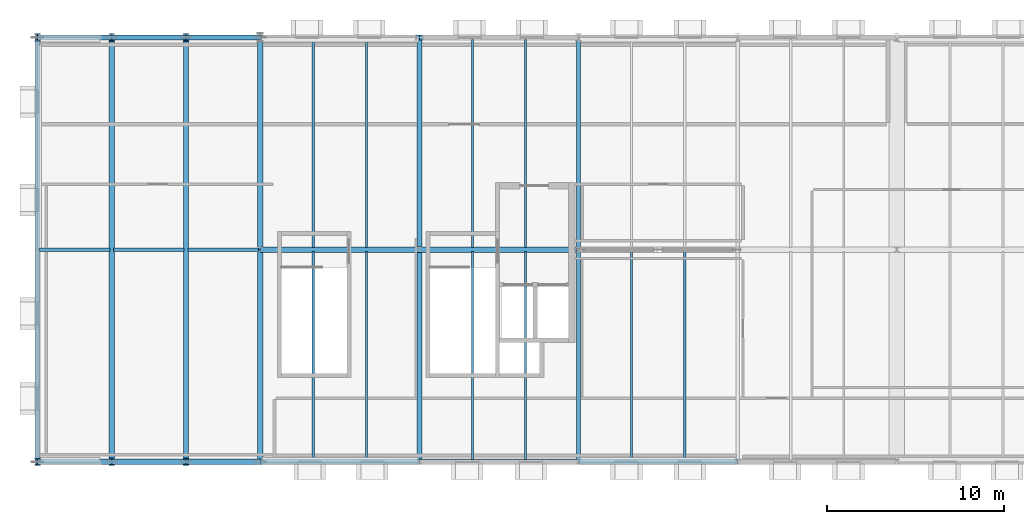
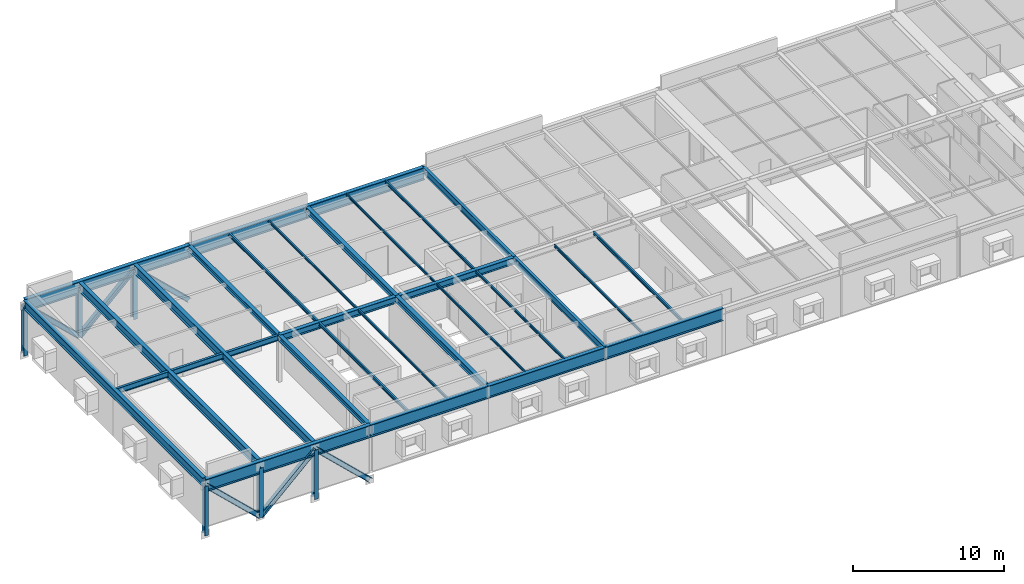
# One storey, part 4 of 16: 31 beams, 12 members.
"""IFC4 building model written with IfcOpenShell, lengths in metres."""

from ifc_helpers import new_model, si_unit, direction, frame, origin, origin_2d, place, context, subcontext, project, spatial, i_section, extrude, material, material_profile, profile_set, type_object, element, save


model = new_model("IFC4")

# Units and contexts
model_context = context("Model", 3, precision=1e-05, world=origin(), true_north=direction((0.0, 1.0)))
body_context = subcontext(model_context, "Body", "Model", "MODEL_VIEW")
ifc_project = project(units=[si_unit("LENGTHUNIT", "METRE"), si_unit("AREAUNIT", "SQUARE_METRE"), si_unit("VOLUMEUNIT", "CUBIC_METRE"), si_unit("PLANEANGLEUNIT", "RADIAN"), si_unit("MASSUNIT", "GRAM", prefix="KILO")], contexts=[model_context])

# Site, building, storey
site_placement = place(None, origin())
site = spatial("IfcSite", under=ifc_project, at=site_placement, CompositionType="ELEMENT")
building_placement = place(site_placement, origin())
building = spatial("IfcBuilding", under=site, at=building_placement, Name="Montelvaro Courts of Justice", CompositionType="ELEMENT")
storey_placement = place(building_placement, frame((0.0, 0.0, 35.39990234375)))
storey = spatial("IfcBuildingStorey", under=building, at=storey_placement, Name="L08", CompositionType="ELEMENT", Elevation=35.39990234375)

# Beams
ifc_material = material(Name="Steel S355", Category="steel")
ifc_material_profile_1 = material_profile(ifc_material, i_section(OverallWidth=0.300048828125, OverallDepth=0.43994140625, WebThickness=0.011474609375, FlangeThickness=0.02099609375, at=origin_2d()), Name="HEA 450")
ifc_profile_set_1 = profile_set([ifc_material_profile_1], Name="Steel S355")
beam_type_1 = type_object("IfcBeamType", Name="Beam_HEA450", PredefinedType="USERDEFINED", material=ifc_profile_set_1)
for number, where, z_axis, x_axis, name in (
    (1, (45.0, 0.0, 3.580078125), (0.0, 1.0, 0.0), (-1.0, 0.0, 0.0), "Beam B-18 L08"),
    (2, (45.0, 12.0, 3.580078125), (0.0, 1.0, 0.0), (-1.0, 0.0, 0.0), "Beam B-18 L08"),
):
    element("IfcBeam", number, at=place(storey_placement, frame(where, z_axis=z_axis, x_axis=x_axis)), inside=storey, type_object=beam_type_1, Name=name, ObjectType="GIRDER", PredefinedType="USERDEFINED", context=body_context, shape_type="SweptSolid", body=[
        extrude(i_section(OverallWidth=0.300048828125, OverallDepth=0.43994140625, WebThickness=0.011474609375, FlangeThickness=0.02099609375, at=origin_2d()), origin(), (0.0, 0.0, 1.0), 12.0),
    ])
ifc_material_profile_2 = material_profile(ifc_material, i_section(OverallWidth=0.300048828125, OverallDepth=0.489990234375, WebThickness=0.011962890625, FlangeThickness=0.02294921875, at=origin_2d()), Name="HEA 500")
ifc_profile_set_2 = profile_set([ifc_material_profile_2], Name="Steel S355")
beam_type_2 = type_object("IfcBeamType", Name="Beam_HEA500", PredefinedType="USERDEFINED", material=ifc_profile_set_2)
for number, where, z_axis, x_axis, name in (
    (3, (54.0, 0.0, 3.55517578125), (0.0, 1.0, 0.0), (-1.0, 0.0, 0.0), "Beam B-19 L08"),
    (4, (54.0, 12.0, 3.55517578125), (0.0, 1.0, 0.0), (-1.0, 0.0, 0.0), "Beam B-19 L08"),
):
    element("IfcBeam", number, at=place(storey_placement, frame(where, z_axis=z_axis, x_axis=x_axis)), inside=storey, type_object=beam_type_2, Name=name, ObjectType="GIRDER", PredefinedType="USERDEFINED", context=body_context, shape_type="SweptSolid", body=[
        extrude(i_section(OverallWidth=0.300048828125, OverallDepth=0.489990234375, WebThickness=0.011962890625, FlangeThickness=0.02294921875, at=origin_2d()), origin(), (0.0, 0.0, 1.0), 12.0),
    ])
ifc_material_profile_3 = material_profile(ifc_material, i_section(OverallWidth=0.300048828125, OverallDepth=0.5400390625, WebThickness=0.012451171875, FlangeThickness=0.02392578125, at=origin_2d()), Name="HEA 550")
ifc_profile_set_3 = profile_set([ifc_material_profile_3], Name="Steel S355")
beam_type_3 = type_object("IfcBeamType", Name="Beam_HEA550", PredefinedType="USERDEFINED", material=ifc_profile_set_3)
for number, where, z_axis, x_axis, name in (
    (5, (45.0, 12.0, 3.530029296875), (1.0, 0.0, 0.0), (0.0, 1.0, 0.0), "Beam B-20 L08"),
    (6, (54.0, 12.0, 3.530029296875), (1.0, 0.0, 0.0), (0.0, 1.0, 0.0), "Beam B-20 L08"),
):
    element("IfcBeam", number, at=place(storey_placement, frame(where, z_axis=z_axis, x_axis=x_axis)), inside=storey, type_object=beam_type_3, Name=name, ObjectType="GIRDER", PredefinedType="USERDEFINED", context=body_context, shape_type="SweptSolid", body=[
        extrude(i_section(OverallWidth=0.300048828125, OverallDepth=0.5400390625, WebThickness=0.012451171875, FlangeThickness=0.02392578125, at=origin_2d()), origin(), (0.0, 0.0, 1.0), 9.0),
    ])
ifc_material_profile_4 = material_profile(ifc_material, i_section(OverallWidth=0.300048828125, OverallDepth=0.699951171875, WebThickness=0.01708984375, FlangeThickness=0.031982421875, at=origin_2d()), Name="HEB 700")
ifc_profile_set_4 = profile_set([ifc_material_profile_4], Name="Steel S355")
beam_type_4 = type_object("IfcBeamType", Name="Beam_HEB700", PredefinedType="USERDEFINED", material=ifc_profile_set_4)
for number, where, z_axis, x_axis, name in (
    (7, (40.800048828125, 0.110107421875, 3.4501953125), (0.0, 1.0, 0.0), (-1.0, 0.0, 0.0), "Beam B-28 L08"),
    (8, (36.60009765625, 0.110107421875, 3.4501953125), (0.0, 1.0, 0.0), (-1.0, 0.0, 0.0), "Beam B-28 L08"),
    (9, (32.39990234375, 0.110107421875, 3.4501953125), (0.0, 1.0, 0.0), (-1.0, 0.0, 0.0), "Beam B-28 L08"),
):
    element("IfcBeam", number, at=place(storey_placement, frame(where, z_axis=z_axis, x_axis=x_axis)), inside=storey, type_object=beam_type_4, Name=name, ObjectType="GIRDER", PredefinedType="USERDEFINED", context=body_context, shape_type="SweptSolid", body=[
        extrude(i_section(OverallWidth=0.300048828125, OverallDepth=0.699951171875, WebThickness=0.01708984375, FlangeThickness=0.031982421875, at=origin_2d()), origin(), (0.0, 0.0, 1.0), 23.77978515625),
    ])
ifc_material_profile_5 = material_profile(ifc_material, i_section(OverallWidth=0.302001953125, OverallDepth=1.008056640625, WebThickness=0.02099609375, FlangeThickness=0.0400390625, at=origin_2d()), Name="HEM 1000")
ifc_profile_set_5 = profile_set([ifc_material_profile_5], Name="Steel S355")
beam_type_5 = type_object("IfcBeamType", Name="Beam_HEM1000", PredefinedType="USERDEFINED", material=ifc_profile_set_5)
for number, where, z_axis, x_axis, name in (
    (10, (72.0, 0.0, 3.296142578125), (-1.0, 0.0, 0.0), (0.0, -1.0, 0.0), "Pratt Cantilever Truss Chord CTR-BAR3-S-RF-BS1"),
    (11, (63.0, 0.0, 3.296142578125), (-1.0, 0.0, 0.0), (0.0, -1.0, 0.0), "Pratt Cantilever Truss Chord CTR-BAR3-S-RF-BS2"),
    (12, (54.0, 0.0, 3.296142578125), (-1.0, 0.0, 0.0), (0.0, -1.0, 0.0), "Pratt Cantilever Truss Chord CTR-BAR3-S-RF-BS3"),
):
    element("IfcBeam", number, at=place(storey_placement, frame(where, z_axis=z_axis, x_axis=x_axis)), inside=storey, type_object=beam_type_5, Name=name, ObjectType="GIRDER", PredefinedType="USERDEFINED", context=body_context, shape_type="SweptSolid", body=[
        extrude(i_section(OverallWidth=0.302001953125, OverallDepth=1.008056640625, WebThickness=0.02099609375, FlangeThickness=0.0400390625, at=origin_2d()), origin(), (0.0, 0.0, 1.0), 9.0),
    ])
beam_1_placement = place(storey_placement, frame((45.0, 0.0, 3.296142578125), z_axis=(-1.0, 0.0, 0.0), x_axis=(0.0, -1.0, 0.0)))
element("IfcBeam", 13, at=beam_1_placement, inside=storey, type_object=beam_type_5, Name="Pratt Cantilever Truss Chord CTR-BAR3-S-RF-OVH", ObjectType="GIRDER", PredefinedType="USERDEFINED", context=body_context, shape_type="SweptSolid", body=[
    extrude(i_section(OverallWidth=0.302001953125, OverallDepth=1.008056640625, WebThickness=0.02099609375, FlangeThickness=0.0400390625, at=origin_2d()), origin(), (0.0, 0.0, 1.0), 12.60009765625),
])
for number, where, z_axis, x_axis, name in (
    (14, (63.0, 24.0, 3.296142578125), (-1.0, 0.0, 0.0), (0.0, -1.0, 0.0), "Pratt Cantilever Truss Chord CTR-BAR3-N-RF-BS2"),
    (15, (54.0, 24.0, 3.296142578125), (-1.0, 0.0, 0.0), (0.0, -1.0, 0.0), "Pratt Cantilever Truss Chord CTR-BAR3-N-RF-BS3"),
):
    element("IfcBeam", number, at=place(storey_placement, frame(where, z_axis=z_axis, x_axis=x_axis)), inside=storey, type_object=beam_type_5, Name=name, ObjectType="GIRDER", PredefinedType="USERDEFINED", context=body_context, shape_type="SweptSolid", body=[
        extrude(i_section(OverallWidth=0.302001953125, OverallDepth=1.008056640625, WebThickness=0.02099609375, FlangeThickness=0.0400390625, at=origin_2d()), origin(), (0.0, 0.0, 1.0), 9.0),
    ])
beam_2_placement = place(storey_placement, frame((45.0, 24.0, 3.296142578125), z_axis=(-1.0, 0.0, 0.0), x_axis=(0.0, -1.0, 0.0)))
element("IfcBeam", 16, at=beam_2_placement, inside=storey, type_object=beam_type_5, Name="Pratt Cantilever Truss Chord CTR-BAR3-N-RF-OVH", ObjectType="GIRDER", PredefinedType="USERDEFINED", context=body_context, shape_type="SweptSolid", body=[
    extrude(i_section(OverallWidth=0.302001953125, OverallDepth=1.008056640625, WebThickness=0.02099609375, FlangeThickness=0.0400390625, at=origin_2d()), origin(), (0.0, 0.0, 1.0), 12.60009765625),
])
ifc_material_profile_6 = material_profile(ifc_material, i_section(OverallWidth=0.10009765625, OverallDepth=0.199951171875, WebThickness=0.005615234375, FlangeThickness=0.008544921875, at=origin_2d()), Name="IPE 200")
ifc_profile_set_6 = profile_set([ifc_material_profile_6], Name="Steel S355")
beam_type_6 = type_object("IfcBeamType", Name="Beam_IPE200", PredefinedType="JOIST", material=ifc_profile_set_6)
for number, where, z_axis, x_axis, name in (
    (17, (51.0, 0.110107421875, 3.7001953125), (0.0, 1.0, 0.0), (-1.0, 0.0, 0.0), "Beam B-01 L08"),
    (18, (51.0, 12.110107421875, 3.7001953125), (0.0, 1.0, 0.0), (-1.0, 0.0, 0.0), "Beam B-01 L08"),
    (19, (57.0, 0.110107421875, 3.7001953125), (0.0, 1.0, 0.0), (-1.0, 0.0, 0.0), "Beam B-01 L08"),
    (20, (57.0, 12.110107421875, 3.7001953125), (0.0, 1.0, 0.0), (-1.0, 0.0, 0.0), "Beam B-01 L08"),
):
    element("IfcBeam", number, at=place(storey_placement, frame(where, z_axis=z_axis, x_axis=x_axis)), inside=storey, type_object=beam_type_6, Name=name, PredefinedType="JOIST", context=body_context, shape_type="SweptSolid", body=[
        extrude(i_section(OverallWidth=0.10009765625, OverallDepth=0.199951171875, WebThickness=0.005615234375, FlangeThickness=0.008544921875, at=origin_2d()), origin(), (0.0, 0.0, 1.0), 11.77978515625),
    ])
ifc_material_profile_7 = material_profile(ifc_material, i_section(OverallWidth=0.110107421875, OverallDepth=0.219970703125, WebThickness=0.005859375, FlangeThickness=0.00927734375, at=origin_2d()), Name="IPE 220")
ifc_profile_set_7 = profile_set([ifc_material_profile_7], Name="Steel S355")
beam_type_7 = type_object("IfcBeamType", Name="Beam_IPE220", PredefinedType="JOIST", material=ifc_profile_set_7)
for number, where, z_axis, x_axis, name in (
    (21, (60.0, 0.110107421875, 3.690185546875), (0.0, 1.0, 0.0), (-1.0, 0.0, 0.0), "Beam B-02 L08"),
    (22, (60.0, 12.110107421875, 3.690185546875), (0.0, 1.0, 0.0), (-1.0, 0.0, 0.0), "Beam B-02 L08"),
    (23, (66.0, 0.110107421875, 3.690185546875), (0.0, 1.0, 0.0), (-1.0, 0.0, 0.0), "Beam B-02 L08"),
):
    element("IfcBeam", number, at=place(storey_placement, frame(where, z_axis=z_axis, x_axis=x_axis)), inside=storey, type_object=beam_type_7, Name=name, PredefinedType="JOIST", context=body_context, shape_type="SweptSolid", body=[
        extrude(i_section(OverallWidth=0.110107421875, OverallDepth=0.219970703125, WebThickness=0.005859375, FlangeThickness=0.00927734375, at=origin_2d()), origin(), (0.0, 0.0, 1.0), 11.77978515625),
    ])
ifc_material_profile_8 = material_profile(ifc_material, i_section(OverallWidth=0.135009765625, OverallDepth=0.27001953125, WebThickness=0.006591796875, FlangeThickness=0.01025390625, at=origin_2d()), Name="IPE 270")
ifc_profile_set_8 = profile_set([ifc_material_profile_8], Name="Steel S355")
beam_type_8 = type_object("IfcBeamType", Name="Beam_IPE270", PredefinedType="JOIST", material=ifc_profile_set_8)
for number, where, z_axis, x_axis, name in (
    (24, (48.0, 0.110107421875, 3.6650390625), (0.0, 1.0, 0.0), (-1.0, 0.0, 0.0), "Beam B-04 L08"),
    (25, (48.0, 12.110107421875, 3.6650390625), (0.0, 1.0, 0.0), (-1.0, 0.0, 0.0), "Beam B-04 L08"),
    (26, (69.0, 0.110107421875, 3.6650390625), (0.0, 1.0, 0.0), (-1.0, 0.0, 0.0), "Beam B-04 L08"),
):
    element("IfcBeam", number, at=place(storey_placement, frame(where, z_axis=z_axis, x_axis=x_axis)), inside=storey, type_object=beam_type_8, Name=name, PredefinedType="JOIST", context=body_context, shape_type="SweptSolid", body=[
        extrude(i_section(OverallWidth=0.135009765625, OverallDepth=0.27001953125, WebThickness=0.006591796875, FlangeThickness=0.01025390625, at=origin_2d()), origin(), (0.0, 0.0, 1.0), 11.77978515625),
    ])
ifc_material_profile_9 = material_profile(ifc_material, i_section(OverallWidth=0.18994140625, OverallDepth=0.449951171875, WebThickness=0.009521484375, FlangeThickness=0.0146484375, at=origin_2d()), Name="IPE 450")
ifc_profile_set_9 = profile_set([ifc_material_profile_9], Name="Steel S355")
beam_type_9 = type_object("IfcBeamType", Name="Beam_IPE450", PredefinedType="BEAM", material=ifc_profile_set_9)
for number, where, z_axis, x_axis, name in (
    (27, (40.909912109375, 12.0, 3.5751953125), (1.0, 0.0, 0.0), (0.0, 1.0, 0.0), "Beam B-09 L08"),
    (28, (36.7099609375, 12.0, 3.5751953125), (1.0, 0.0, 0.0), (0.0, 1.0, 0.0), "Beam B-09 L08"),
    (29, (32.510009765625, 12.0, 3.5751953125), (1.0, 0.0, 0.0), (0.0, 1.0, 0.0), "Beam B-09 L08"),
):
    element("IfcBeam", number, at=place(storey_placement, frame(where, z_axis=z_axis, x_axis=x_axis)), inside=storey, type_object=beam_type_9, Name=name, PredefinedType="BEAM", context=body_context, shape_type="SweptSolid", body=[
        extrude(i_section(OverallWidth=0.18994140625, OverallDepth=0.449951171875, WebThickness=0.009521484375, FlangeThickness=0.0146484375, at=origin_2d()), origin(), (0.0, 0.0, 1.0), 3.97998046875),
    ])
ifc_material_profile_10 = material_profile(ifc_material, i_section(OverallWidth=0.2099609375, OverallDepth=0.550048828125, WebThickness=0.010986328125, FlangeThickness=0.01708984375, at=origin_2d()), Name="IPE 550")
ifc_profile_set_10 = profile_set([ifc_material_profile_10], Name="Steel S355")
beam_type_10 = type_object("IfcBeamType", Name="Beam_IPE550", PredefinedType="BEAM", material=ifc_profile_set_10)
for number, where, z_axis, x_axis, name in (
    (30, (63.0, 0.0, 3.525146484375), (0.0, 1.0, 0.0), (-1.0, 0.0, 0.0), "Beam B-11 L08"),
    (31, (63.0, 12.0, 3.525146484375), (0.0, 1.0, 0.0), (-1.0, 0.0, 0.0), "Beam B-11 L08"),
):
    element("IfcBeam", number, at=place(storey_placement, frame(where, z_axis=z_axis, x_axis=x_axis)), inside=storey, type_object=beam_type_10, Name=name, PredefinedType="BEAM", context=body_context, shape_type="SweptSolid", body=[
        extrude(i_section(OverallWidth=0.2099609375, OverallDepth=0.550048828125, WebThickness=0.010986328125, FlangeThickness=0.01708984375, at=origin_2d()), origin(), (0.0, 0.0, 1.0), 12.0),
    ])

# Members
ifc_material_profile_11 = material_profile(ifc_material, i_section(OverallWidth=0.300048828125, OverallDepth=0.360107421875, WebThickness=0.012451171875, FlangeThickness=0.0224609375, at=origin_2d()), Name="HEB 360")
ifc_profile_set_11 = profile_set([ifc_material_profile_11], Name="Steel S355")
member_type_1 = type_object("IfcMemberType", Name="Mem_HEB360_Brace", PredefinedType="BRACE", material=ifc_profile_set_11)
for number, where, z_axis, x_axis, name in (
    (32, (45.0, 0.0, -0.703857421875), (-0.724133926887, 0.0, 0.689659376744), (0.0, -1.0, 0.0), "Pratt Cantilever Truss Diagonal MB-01 CTR-BAR3-S-L08-D4"),
    (33, (40.800048828125, 0.0, 3.296142578125), (-0.724133926887, 0.0, -0.689659376744), (0.0, -1.0, 0.0), "Pratt Cantilever Truss Diagonal MB-01 CTR-BAR3-S-L08-D5"),
    (34, (36.60009765625, 0.0, -0.703857421875), (-0.72415394689, 0.0, 0.689638355374), (0.0, -1.0, 0.0), "Pratt Cantilever Truss Diagonal MB-01 CTR-BAR3-S-L08-D6"),
    (35, (45.0, 24.0, -0.703857421875), (-0.724133926887, 0.0, 0.689659376744), (0.0, -1.0, 0.0), "Pratt Cantilever Truss Diagonal MB-01 CTR-BAR3-N-L08-D4"),
    (36, (40.800048828125, 24.0, 3.296142578125), (-0.724133926887, 0.0, -0.689659376744), (0.0, -1.0, 0.0), "Pratt Cantilever Truss Diagonal MB-01 CTR-BAR3-N-L08-D5"),
    (37, (36.60009765625, 24.0, -0.703857421875), (-0.72415394689, 0.0, 0.689638355374), (0.0, -1.0, 0.0), "Pratt Cantilever Truss Diagonal MB-01 CTR-BAR3-N-L08-D6"),
):
    element("IfcMember", number, at=place(storey_placement, frame(where, z_axis=z_axis, x_axis=x_axis)), inside=storey, type_object=member_type_1, Name=name, PredefinedType="BRACE", context=body_context, shape_type="SweptSolid", body=[
        extrude(i_section(OverallWidth=0.300048828125, OverallDepth=0.360107421875, WebThickness=0.012451171875, FlangeThickness=0.0224609375, at=origin_2d()), origin(), (0.0, 0.0, 1.0), 5.800048828125),
    ])
ifc_material_profile_12 = material_profile(ifc_material, i_section(OverallWidth=0.300048828125, OverallDepth=0.39990234375, WebThickness=0.013427734375, FlangeThickness=0.02392578125, at=origin_2d()), Name="HEB 400")
ifc_profile_set_12 = profile_set([ifc_material_profile_12], Name="Steel S355")
member_type_2 = type_object("IfcMemberType", Name="Mem_HEB400_Post", PredefinedType="POST", material=ifc_profile_set_12)
for number, where, z_axis, x_axis, name in (
    (38, (40.800048828125, 0.0, -0.703857421875), (0.0, 0.0, 1.0), (1.0, 0.0, 0.0), "Pratt Cantilever Truss Post MP-01 CTR-BAR3-S-L08-1"),
    (39, (36.60009765625, 0.0, -0.703857421875), (0.0, 0.0, 1.0), (1.0, 0.0, 0.0), "Pratt Cantilever Truss Post MP-01 CTR-BAR3-S-L08-2"),
    (40, (32.39990234375, 0.0, -0.703857421875), (0.0, 0.0, 1.0), (1.0, 0.0, 0.0), "Pratt Cantilever Truss Post MP-01 CTR-BAR3-S-L08-3"),
    (41, (40.800048828125, 24.0, -0.703857421875), (0.0, 0.0, 1.0), (1.0, 0.0, 0.0), "Pratt Cantilever Truss Post MP-01 CTR-BAR3-N-L08-1"),
    (42, (36.60009765625, 24.0, -0.703857421875), (0.0, 0.0, 1.0), (1.0, 0.0, 0.0), "Pratt Cantilever Truss Post MP-01 CTR-BAR3-N-L08-2"),
    (43, (32.39990234375, 24.0, -0.703857421875), (0.0, 0.0, 1.0), (1.0, 0.0, 0.0), "Pratt Cantilever Truss Post MP-01 CTR-BAR3-N-L08-3"),
):
    element("IfcMember", number, at=place(storey_placement, frame(where, z_axis=z_axis, x_axis=x_axis)), inside=storey, type_object=member_type_2, Name=name, PredefinedType="POST", context=body_context, shape_type="SweptSolid", body=[
        extrude(i_section(OverallWidth=0.300048828125, OverallDepth=0.39990234375, WebThickness=0.013427734375, FlangeThickness=0.02392578125, at=origin_2d()), origin(), (0.0, 0.0, 1.0), 4.0),
    ])

save(model, "model.ifc")
